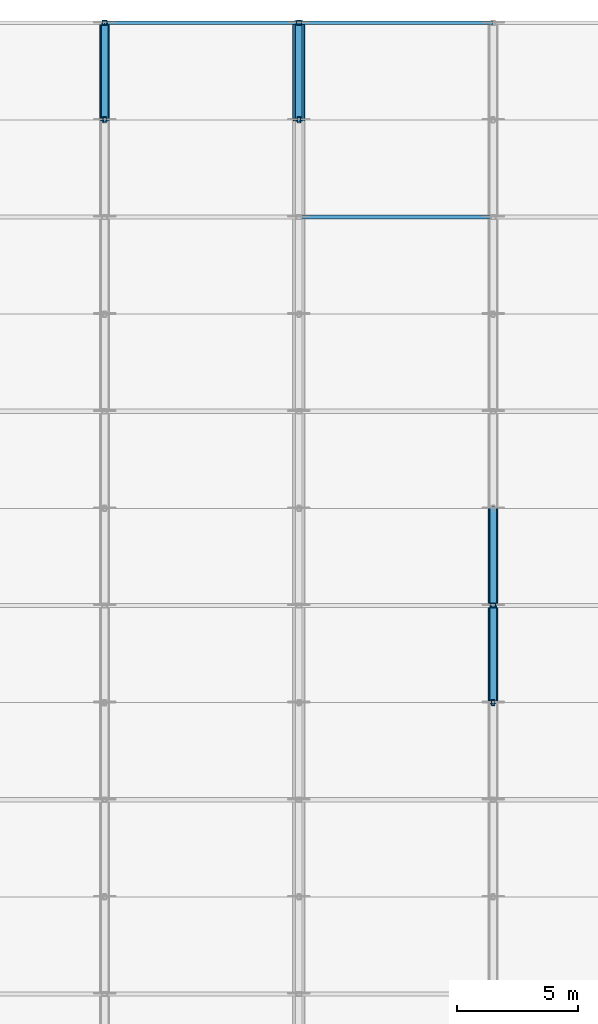
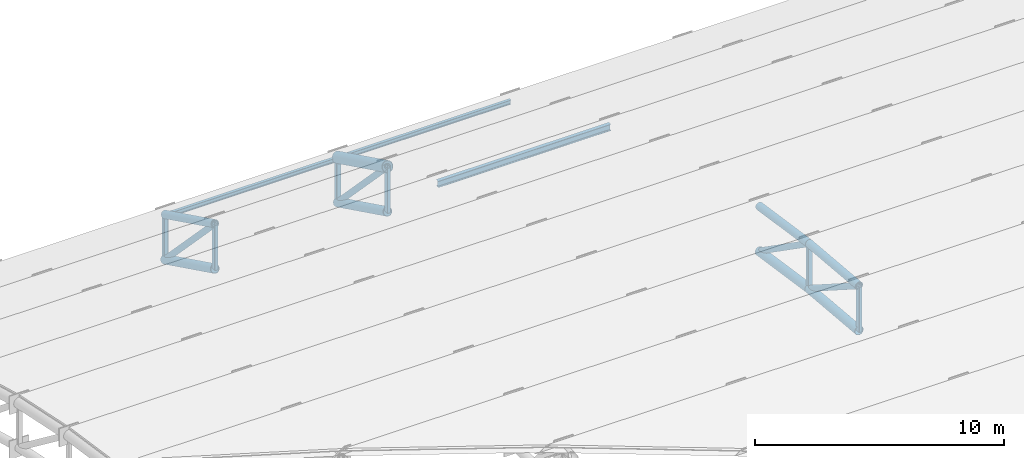
# One storey, part 18 of 98: 21 members.
"""IFC4 building model written with IfcOpenShell, lengths in metres."""

from ifc_helpers import new_model, si_unit, direction, frame, origin, origin_2d, place, context, subcontext, project, spatial, hollow_rectangle, hollow_circle, i_section, extrude, material, material_profile, profile_set, type_object, element, save


model = new_model("IFC4")

# Units and contexts
model_context = context("Model", 3, precision=1e-05, world=origin(), true_north=direction((0.0, 1.0)))
body_context = subcontext(model_context, "Body", "Model", "MODEL_VIEW")
ifc_project = project(units=[si_unit("LENGTHUNIT", "METRE"), si_unit("AREAUNIT", "SQUARE_METRE"), si_unit("VOLUMEUNIT", "CUBIC_METRE"), si_unit("PLANEANGLEUNIT", "RADIAN"), si_unit("MASSUNIT", "GRAM", prefix="KILO")], contexts=[model_context])

# Site, building, storey
site_placement = place(None, origin())
site = spatial("IfcSite", under=ifc_project, at=site_placement, CompositionType="ELEMENT")
building_placement = place(site_placement, origin())
building = spatial("IfcBuilding", under=site, at=building_placement, Name="Tlacozan Convention Centre", CompositionType="ELEMENT")
storey_placement = place(building_placement, frame((0.0, 0.0, 25.800048828125)))
storey = spatial("IfcBuildingStorey", under=building, at=storey_placement, Name="Roof", CompositionType="ELEMENT", Elevation=25.800048828125)

# Members
ifc_material_1 = material(Name="Steel ASTM A500 Grade C", Category="steel")
ifc_material_profile_1 = material_profile(ifc_material_1, hollow_circle(Radius=0.203125, WallThickness=0.015869140625, at=origin_2d()), Name="OC 406.4x15.9")
ifc_profile_set_1 = profile_set([ifc_material_profile_1], Name="Steel ASTM A500 Grade C")
member_type_1 = type_object("IfcMemberType", Name="Arch Bottom Chord OC 406.4x15.9", PredefinedType="CHORD", material=ifc_profile_set_1)
for number, where, z_axis, x_axis, name in (
    (1, (16.0, 122.0, -10.832275390625), (0.0, 0.897300183135, -0.441420866459), (-1.0, 0.0, 0.0), "V2A Roof Truss 3 Bottom Chord 16"),
    (2, (24.0, 122.0, -10.832275390625), (0.0, 0.897300183135, -0.441420866459), (-1.0, 0.0, 0.0), "V2A Roof Truss 4 Bottom Chord 16"),
):
    element("IfcMember", number, at=place(storey_placement, frame(where, z_axis=z_axis, x_axis=x_axis)), inside=storey, type_object=member_type_1, Name=name, PredefinedType="CHORD", context=body_context, shape_type="SweptSolid", body=[
        extrude(hollow_circle(Radius=0.203125, WallThickness=0.015869140625, at=origin_2d()), origin(), (0.0, 0.0, 1.0), 4.457763671875),
    ])
member_1_placement = place(storey_placement, frame((32.0, 98.0, -4.917724609375), z_axis=(0.0, 0.996095959668, -0.088277058926), x_axis=(-1.0, 0.0, 0.0)))
element("IfcMember", 3, at=member_1_placement, inside=storey, type_object=member_type_1, Name="V2A Roof Truss 5 Bottom Chord 10", PredefinedType="CHORD", context=body_context, shape_type="SweptSolid", body=[
    extrude(hollow_circle(Radius=0.203125, WallThickness=0.015869140625, at=origin_2d()), origin(), (0.0, 0.0, 1.0), 4.015625),
])
member_2_placement = place(storey_placement, frame((32.0, 102.0, -5.272216796875), z_axis=(0.0, 0.98911804631, -0.147124064872), x_axis=(-1.0, 0.0, 0.0)))
element("IfcMember", 4, at=member_2_placement, inside=storey, type_object=member_type_1, Name="V2A Roof Truss 5 Bottom Chord 11", PredefinedType="CHORD", context=body_context, shape_type="SweptSolid", body=[
    extrude(hollow_circle(Radius=0.203125, WallThickness=0.015869140625, at=origin_2d()), origin(), (0.0, 0.0, 1.0), 4.0439453125),
])
ifc_material_profile_2 = material_profile(ifc_material_1, hollow_circle(Radius=0.25390625, WallThickness=0.01904296875, at=origin_2d()), Name="OC 508.0x19.1")
ifc_profile_set_2 = profile_set([ifc_material_profile_2], Name="Steel ASTM A500 Grade C")
member_type_2 = type_object("IfcMemberType", Name="Arch Top Chord OC 508x19.1", PredefinedType="CHORD", material=ifc_profile_set_2)
member_3_placement = place(storey_placement, frame((24.0, 122.0, -8.63232421875), z_axis=(0.0, 0.897300183135, -0.441420866459), x_axis=(-1.0, 0.0, 0.0)))
element("IfcMember", 5, at=member_3_placement, inside=storey, type_object=member_type_2, Name="V2A Roof Truss 4 Top Chord 16", PredefinedType="CHORD", context=body_context, shape_type="SweptSolid", body=[
    extrude(hollow_circle(Radius=0.25390625, WallThickness=0.01904296875, at=origin_2d()), origin(), (0.0, 0.0, 1.0), 4.457763671875),
])
ifc_material_profile_3 = material_profile(ifc_material_1, hollow_circle(Radius=0.136474609375, WallThickness=0.0126953125, at=origin_2d()), Name="OC 273.1x12.7")
ifc_profile_set_3 = profile_set([ifc_material_profile_3], Name="Steel ASTM A500 Grade C")
member_type_3 = type_object("IfcMemberType", Name="Arch Web Diagonal OC 273.1x12.7", PredefinedType="BRACE", material=ifc_profile_set_3)
for number, where, z_axis, x_axis, name in (
    (6, (16.0, 122.0, -8.63232421875), (0.0, 0.69244032859, -0.721475149497), (-1.0, 0.0, 0.0), "V2A Roof Truss 3 Web Diagonal 16"),
    (7, (24.0, 122.0, -8.63232421875), (0.0, 0.69244032859, -0.721475149497), (-1.0, 0.0, 0.0), "V2A Roof Truss 4 Web Diagonal 16"),
):
    element("IfcMember", number, at=place(storey_placement, frame(where, z_axis=z_axis, x_axis=x_axis)), inside=storey, type_object=member_type_3, Name=name, PredefinedType="BRACE", context=body_context, shape_type="SweptSolid", body=[
        extrude(hollow_circle(Radius=0.136474609375, WallThickness=0.0126953125, at=origin_2d()), origin(), (0.0, 0.0, 1.0), 5.776611328125),
    ])
member_4_placement = place(storey_placement, frame((32.0, 98.0, -2.7177734375), z_axis=(0.0, 0.842802563321, -0.538222852785), x_axis=(-1.0, 0.0, 0.0)))
element("IfcMember", 8, at=member_4_placement, inside=storey, type_object=member_type_3, Name="V2A Roof Truss 5 Web Diagonal 10", PredefinedType="BRACE", context=body_context, shape_type="SweptSolid", body=[
    extrude(hollow_circle(Radius=0.136474609375, WallThickness=0.0126953125, at=origin_2d()), origin(), (0.0, 0.0, 1.0), 4.74609375),
])
member_5_placement = place(storey_placement, frame((32.0, 102.0, -3.072265625), z_axis=(0.0, 0.819720523855, -0.572763705877), x_axis=(-1.0, 0.0, 0.0)))
element("IfcMember", 9, at=member_5_placement, inside=storey, type_object=member_type_3, Name="V2A Roof Truss 5 Web Diagonal 11", PredefinedType="BRACE", context=body_context, shape_type="SweptSolid", body=[
    extrude(hollow_circle(Radius=0.136474609375, WallThickness=0.0126953125, at=origin_2d()), origin(), (0.0, 0.0, 1.0), 4.879638671875),
])
ifc_material_profile_4 = material_profile(ifc_material_1, hollow_rectangle(XDim=0.203125, YDim=0.203125, WallThickness=0.0126953125, InnerFilletRadius=0.0126953125, OuterFilletRadius=0.02490234375, at=origin_2d()), Name="OR 203x203x12.7")
ifc_profile_set_4 = profile_set([ifc_material_profile_4], Name="Steel ASTM A500 Grade C")
member_type_4 = type_object("IfcMemberType", Name="Arch Web Strut OR 203x203x12.7", PredefinedType="STRUT", material=ifc_profile_set_4)
for number, where, z_axis, x_axis, name in (
    (10, (16.0, 126.0, -12.800048828125), (0.0, 0.0, 1.0), (1.0, 0.0, 0.0), "V2A Roof Truss 3 Vertical Strut 17"),
    (11, (24.0, 126.0, -12.800048828125), (0.0, 0.0, 1.0), (1.0, 0.0, 0.0), "V2A Roof Truss 4 Vertical Strut 17"),
    (12, (32.0, 102.0, -5.272216796875), (0.0, 0.0, 1.0), (1.0, 0.0, 0.0), "V2A Roof Truss 5 Vertical Strut 11"),
):
    element("IfcMember", number, at=place(storey_placement, frame(where, z_axis=z_axis, x_axis=x_axis)), inside=storey, type_object=member_type_4, Name=name, PredefinedType="STRUT", context=body_context, shape_type="SweptSolid", body=[
        extrude(hollow_rectangle(XDim=0.203125, YDim=0.203125, WallThickness=0.0126953125, InnerFilletRadius=0.0126953125, OuterFilletRadius=0.02490234375, at=origin_2d()), origin(), (0.0, 0.0, 1.0), 2.199951171875),
    ])
ifc_material_2 = material(Name="Steel ASTM A992 Grade 50", Category="steel")
ifc_material_profile_5 = material_profile(ifc_material_2, i_section(OverallWidth=0.1669921875, OverallDepth=0.31689453125, WebThickness=0.007568359375, FlangeThickness=0.01318359375, FilletRadius=0.010009765625, at=origin_2d()), Name="IR 305x52.2")
ifc_profile_set_5 = profile_set([ifc_material_profile_5], Name="Steel ASTM A992 Grade 50")
member_type_5 = type_object("IfcMemberType", Name="Roof Purlin IR 305x52.2", PredefinedType="PURLIN", material=ifc_profile_set_5)
member_6_placement = place(storey_placement, frame((24.0, 118.0, -7.041259765625), z_axis=(1.0, 0.0, 0.0), x_axis=(0.0, 1.0, 0.0)))
element("IfcMember", 13, at=member_6_placement, inside=storey, type_object=member_type_5, Name="V2A Roof Truss Purlin 4.15", PredefinedType="PURLIN", context=body_context, shape_type="SweptSolid", body=[
    extrude(i_section(OverallWidth=0.1669921875, OverallDepth=0.31689453125, WebThickness=0.007568359375, FlangeThickness=0.01318359375, FilletRadius=0.010009765625, at=origin_2d()), origin(), (0.0, 0.0, 1.0), 8.0),
])
ifc_material_profile_6 = material_profile(ifc_material_1, hollow_circle(Radius=0.177734375, WallThickness=0.015869140625, at=origin_2d()), Name="OC 355.6x15.9")
ifc_profile_set_6 = profile_set([ifc_material_profile_6], Name="Steel ASTM A500 Grade C")
member_type_6 = type_object("IfcMemberType", Name="Secondary Arch Chord OC 355.6x15.9", PredefinedType="CHORD", material=ifc_profile_set_6)
member_7_placement = place(storey_placement, frame((16.0, 122.0, -8.63232421875), z_axis=(0.0, 0.897300183135, -0.441420866459), x_axis=(-1.0, 0.0, 0.0)))
element("IfcMember", 14, at=member_7_placement, inside=storey, type_object=member_type_6, Name="V2A Roof Truss 3 Top Chord 16", PredefinedType="CHORD", context=body_context, shape_type="SweptSolid", body=[
    extrude(hollow_circle(Radius=0.177734375, WallThickness=0.015869140625, at=origin_2d()), origin(), (0.0, 0.0, 1.0), 4.457763671875),
])
member_8_placement = place(storey_placement, frame((32.0, 98.0, -2.7177734375), z_axis=(0.0, 0.996095959668, -0.088277058926), x_axis=(-1.0, 0.0, 0.0)))
element("IfcMember", 15, at=member_8_placement, inside=storey, type_object=member_type_6, Name="V2A Roof Truss 5 Top Chord 10", PredefinedType="CHORD", context=body_context, shape_type="SweptSolid", body=[
    extrude(hollow_circle(Radius=0.177734375, WallThickness=0.015869140625, at=origin_2d()), origin(), (0.0, 0.0, 1.0), 4.015625),
])
member_9_placement = place(storey_placement, frame((32.0, 102.0, -3.072265625), z_axis=(0.0, 0.98911804631, -0.147124064872), x_axis=(-1.0, 0.0, 0.0)))
element("IfcMember", 16, at=member_9_placement, inside=storey, type_object=member_type_6, Name="V2A Roof Truss 5 Top Chord 11", PredefinedType="CHORD", context=body_context, shape_type="SweptSolid", body=[
    extrude(hollow_circle(Radius=0.177734375, WallThickness=0.015869140625, at=origin_2d()), origin(), (0.0, 0.0, 1.0), 4.0439453125),
])
ifc_material_profile_7 = material_profile(ifc_material_2, i_section(OverallWidth=0.134033203125, OverallDepth=0.2099609375, WebThickness=0.00634765625, FlangeThickness=0.01025390625, FilletRadius=0.008056640625, at=origin_2d()), Name="IR 203x31.3")
ifc_profile_set_7 = profile_set([ifc_material_profile_7], Name="Steel ASTM A992 Grade 50")
member_type_7 = type_object("IfcMemberType", Name="Secondary Eave Purlin IR 203x31.3", PredefinedType="PURLIN", material=ifc_profile_set_7)
for number, where, z_axis, x_axis, name in (
    (17, (16.0, 126.0, -10.6650390625), (1.0, 0.0, 0.0), (0.0, 1.0, 0.0), "V2A Roof Truss Purlin 3.17"),
    (18, (24.0, 126.0, -10.6650390625), (1.0, 0.0, 0.0), (0.0, 1.0, 0.0), "V2A Roof Truss Purlin 4.17"),
):
    element("IfcMember", number, at=place(storey_placement, frame(where, z_axis=z_axis, x_axis=x_axis)), inside=storey, type_object=member_type_7, Name=name, PredefinedType="PURLIN", context=body_context, shape_type="SweptSolid", body=[
        extrude(i_section(OverallWidth=0.134033203125, OverallDepth=0.2099609375, WebThickness=0.00634765625, FlangeThickness=0.01025390625, FilletRadius=0.008056640625, at=origin_2d()), origin(), (0.0, 0.0, 1.0), 8.0),
    ])
ifc_material_profile_8 = material_profile(ifc_material_1, hollow_rectangle(XDim=0.15234375, YDim=0.25390625, WallThickness=0.0126953125, InnerFilletRadius=0.0126953125, OuterFilletRadius=0.02490234375, at=origin_2d()), Name="OR 254x152x12.7")
ifc_profile_set_8 = profile_set([ifc_material_profile_8], Name="Steel ASTM A500 Grade C")
member_type_8 = type_object("IfcMemberType", Name="Truss Secondary Strut OR 254x152x12.7", PredefinedType="STRUT", material=ifc_profile_set_8)
for number, where, z_axis, x_axis, name in (
    (19, (16.0, 122.0, -10.832275390625), (0.0, 0.0, 1.0), (1.0, 0.0, 0.0), "V2A Roof Truss 3 Vertical Strut 16"),
    (20, (24.0, 122.0, -10.832275390625), (0.0, 0.0, 1.0), (1.0, 0.0, 0.0), "V2A Roof Truss 4 Vertical Strut 16"),
    (21, (32.0, 98.0, -4.917724609375), (0.0, 0.0, 1.0), (1.0, 0.0, 0.0), "V2A Roof Truss 5 Vertical Strut 10"),
):
    element("IfcMember", number, at=place(storey_placement, frame(where, z_axis=z_axis, x_axis=x_axis)), inside=storey, type_object=member_type_8, Name=name, PredefinedType="STRUT", context=body_context, shape_type="SweptSolid", body=[
        extrude(hollow_rectangle(XDim=0.15234375, YDim=0.25390625, WallThickness=0.0126953125, InnerFilletRadius=0.0126953125, OuterFilletRadius=0.02490234375, at=origin_2d()), origin(), (0.0, 0.0, 1.0), 2.199951171875),
    ])

save(model, "model.ifc")
